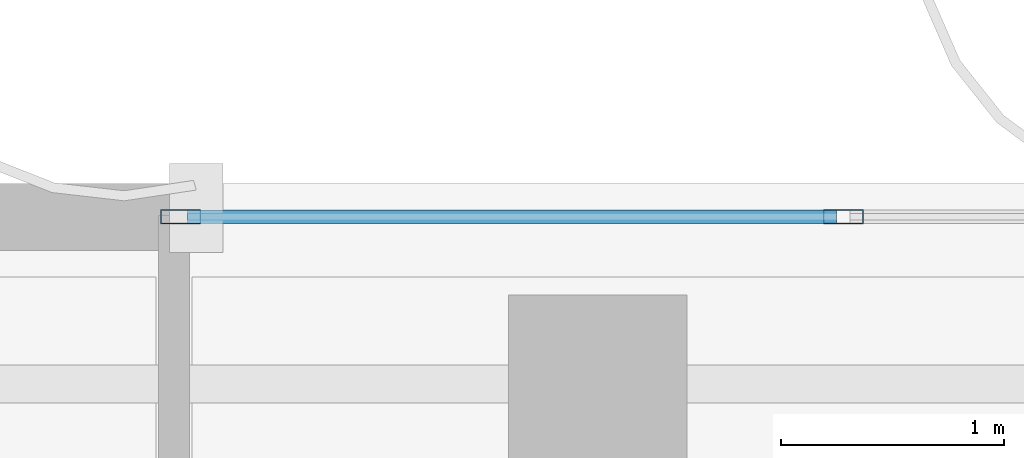
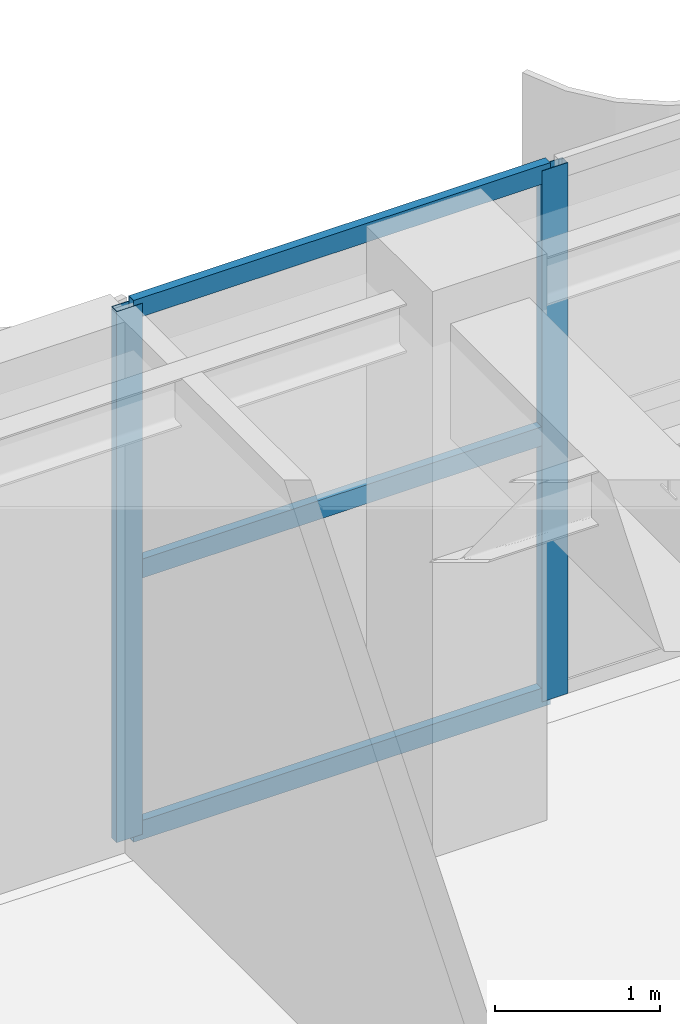
# One storey, part 15 of 26: 5 members, 1 element without a shape of its own.
"""IFC4 building model written with IfcOpenShell, lengths in metres."""

from ifc_helpers import new_model, si_unit, direction, frame, origin, origin_2d, place, context, subcontext, project, spatial, hollow_rectangle, extrude, source, transform, mapped, material, layer, layer_set, material_profile, profile_set, type_object, element, aggregate, save


model = new_model("IFC4")

# Units and contexts
model_context = context("Model", 3, precision=1e-05, world=origin(), true_north=direction((0.0, 1.0)))
body_context = subcontext(model_context, "Body", "Model", "MODEL_VIEW")
ifc_project = project(units=[si_unit("LENGTHUNIT", "METRE"), si_unit("AREAUNIT", "SQUARE_METRE"), si_unit("VOLUMEUNIT", "CUBIC_METRE"), si_unit("PLANEANGLEUNIT", "RADIAN"), si_unit("MASSUNIT", "GRAM", prefix="KILO")], contexts=[model_context])

# Site, building, storey
site_placement = place(None, origin())
site = spatial("IfcSite", under=ifc_project, at=site_placement, CompositionType="ELEMENT")
building_placement = place(site_placement, origin())
building = spatial("IfcBuilding", under=site, at=building_placement, Name="Khoralis Quay Care Tower", CompositionType="ELEMENT")
storey_placement = place(building_placement, frame((0.0, 0.0, 289.5)))
storey = spatial("IfcBuildingStorey", under=building, at=storey_placement, Name="L76", CompositionType="ELEMENT", Elevation=289.5)

# Curtain wall, members
ifc_material = material(Name="Pale anodised aluminium", Category="aluminium")
ifc_layer = layer(ifc_material, 0.159912109375)
ifc_layer_set = layer_set([ifc_layer], Name="Pale anodised aluminium")
curtain_wall_type = type_object("IfcCurtainWallType", Name="CW-SYS-Z3", PredefinedType="NOTDEFINED", material=ifc_layer_set)
curtain_wall_placement = place(storey_placement, origin())
curtain_wall = element("IfcCurtainWall", 1, at=curtain_wall_placement, inside=storey, type_object=curtain_wall_type, Name="L76 Unitised Curtain Wall CW-L76-P1-E10", PredefinedType="NOTDEFINED")
ifc_material_profile_1 = material_profile(ifc_material, hollow_rectangle(XDim=0.06494140625, YDim=0.179931640625, WallThickness=0.00390625, at=origin_2d()), Name="Pale anodised aluminium")
ifc_profile_set_1 = profile_set([ifc_material_profile_1], Name="Pale anodised aluminium")
member_type_1 = type_object("IfcMemberType", Name="CW-MUL-180", PredefinedType="MULLION", material=ifc_profile_set_1)
shared_shape_1 = source(origin(), body_context, "Body", "SweptSolid", [
    extrude(hollow_rectangle(XDim=0.06494140625, YDim=0.179931640625, WallThickness=0.00390625, at=origin_2d()), origin(), (0.0, 0.0, 1.0), 3.919921875),
])
member_1_placement = place(storey_placement, frame((18.199951171875, 41.85009765625, 0.0), z_axis=(0.0, 0.0, 1.0), x_axis=(0.0, -1.0, 0.0)))
member_1 = element("IfcMember", 2, at=member_1_placement, type_object=member_type_1, Name="CW3 mullion 4", PredefinedType="MULLION", context=body_context, shape_type="MappedRepresentation", body=[
    mapped(shared_shape_1, transform((0.0, 0.0, 0.0), scale=1.0)),
])
member_2_placement = place(storey_placement, frame((15.22998046875, 41.85009765625, 0.0), z_axis=(0.0, 0.0, 1.0), x_axis=(0.0, -1.0, 0.0)))
member_2 = element("IfcMember", 3, at=member_2_placement, type_object=member_type_1, Name="CW3 mullion 5", PredefinedType="MULLION", context=body_context, shape_type="MappedRepresentation", body=[
    mapped(shared_shape_1, transform((0.0, 0.0, 0.0), scale=1.0)),
])
ifc_material_profile_2 = material_profile(ifc_material, hollow_rectangle(XDim=0.06005859375, YDim=0.139892578125, WallThickness=0.00390625, at=origin_2d()), Name="Pale anodised aluminium")
ifc_profile_set_2 = profile_set([ifc_material_profile_2], Name="Pale anodised aluminium")
member_type_2 = type_object("IfcMemberType", Name="CW-TRN-140", PredefinedType="USERDEFINED", material=ifc_profile_set_2)
shared_shape_2 = source(origin(), body_context, "Body", "SweptSolid", [
    extrude(hollow_rectangle(XDim=0.06005859375, YDim=0.139892578125, WallThickness=0.00390625, at=origin_2d()), origin(), (0.0, 0.0, 1.0), 2.909912109375),
])
member_3_placement = place(storey_placement, frame((18.169921875, 41.85009765625, 0.030029296875), z_axis=(-1.0, 0.0, 0.0), x_axis=(0.0, -1.0, 0.0)))
member_3 = element("IfcMember", 4, at=member_3_placement, type_object=member_type_2, Name="CW3 transom 4.1", ObjectType="TRANSOM", PredefinedType="USERDEFINED", context=body_context, shape_type="MappedRepresentation", body=[
    mapped(shared_shape_2, transform((0.0, 0.0, 0.0), scale=1.0)),
])
member_4_placement = place(storey_placement, frame((18.169921875, 41.85009765625, 1.9599609375), z_axis=(-1.0, 0.0, 0.0), x_axis=(0.0, -1.0, 0.0)))
member_4 = element("IfcMember", 5, at=member_4_placement, type_object=member_type_2, Name="CW3 transom 4.2", ObjectType="TRANSOM", PredefinedType="USERDEFINED", context=body_context, shape_type="MappedRepresentation", body=[
    mapped(shared_shape_2, transform((0.0, 0.0, 0.0), scale=1.0)),
])
member_5_placement = place(storey_placement, frame((18.169921875, 41.85009765625, 3.889892578125), z_axis=(-1.0, 0.0, 0.0), x_axis=(0.0, -1.0, 0.0)))
member_5 = element("IfcMember", 6, at=member_5_placement, type_object=member_type_2, Name="CW3 transom 4.3", ObjectType="TRANSOM", PredefinedType="USERDEFINED", context=body_context, shape_type="MappedRepresentation", body=[
    mapped(shared_shape_2, transform((0.0, 0.0, 0.0), scale=1.0)),
])
aggregate(curtain_wall, [member_1, member_2, member_3, member_4, member_5])

save(model, "model.ifc")
